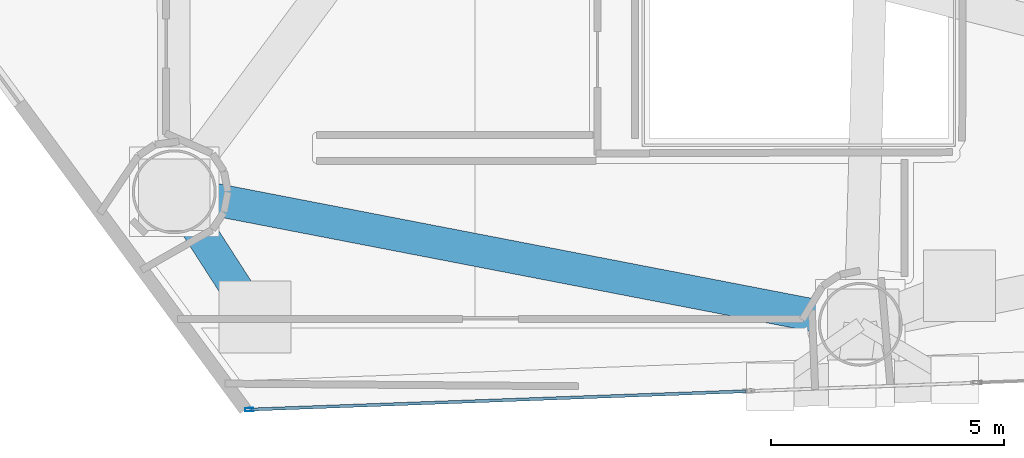
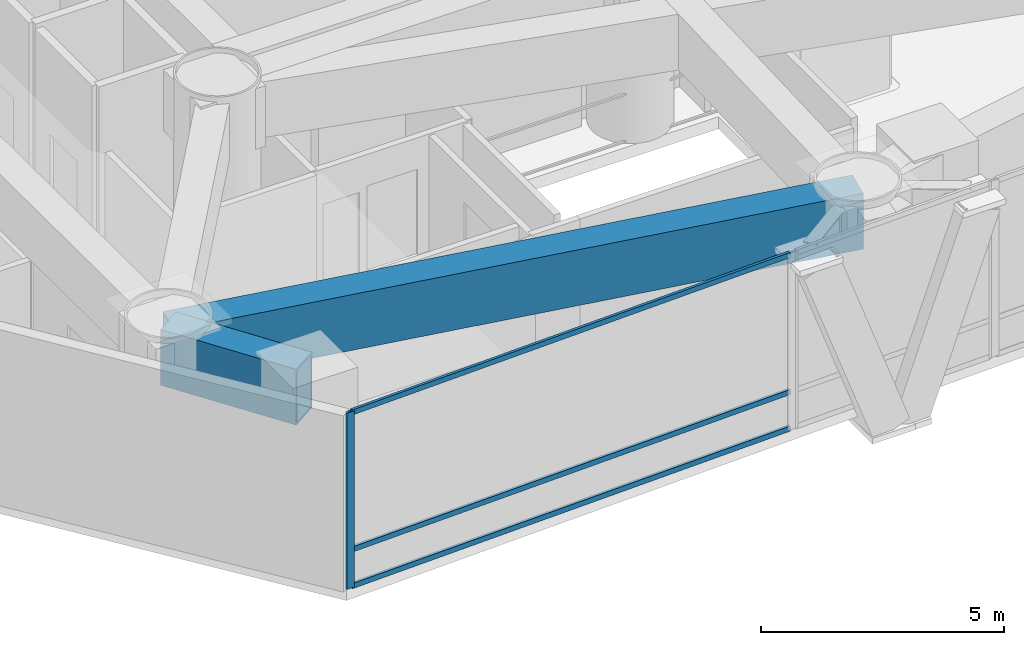
# One storey, part 2 of 22: 4 members, 2 beams, 1 element without a shape of its own.
"""IFC4 building model written with IfcOpenShell, lengths in metres."""

from ifc_helpers import new_model, si_unit, direction, frame, origin, origin_2d, place, context, subcontext, project, spatial, hollow_rectangle, extrude, material, layer, layer_set, material_profile, profile_set, type_object, element, aggregate, save


model = new_model("IFC4")

# Units and contexts
model_context = context("Model", 3, precision=1e-05, world=origin(), true_north=direction((0.0, 1.0)))
body_context = subcontext(model_context, "Body", "Model", "MODEL_VIEW")
ifc_project = project(units=[si_unit("LENGTHUNIT", "METRE"), si_unit("AREAUNIT", "SQUARE_METRE"), si_unit("VOLUMEUNIT", "CUBIC_METRE"), si_unit("PLANEANGLEUNIT", "RADIAN"), si_unit("MASSUNIT", "GRAM", prefix="KILO")], contexts=[model_context])

# Site, building, storey
site_placement = place(None, origin())
site = spatial("IfcSite", under=ifc_project, at=site_placement, CompositionType="ELEMENT")
building_placement = place(site_placement, origin())
building = spatial("IfcBuilding", under=site, at=building_placement, Name="Qianvela Tower", CompositionType="ELEMENT")
storey_placement = place(building_placement, frame((0.0, 0.0, 47.89990234375)))
storey = spatial("IfcBuildingStorey", under=building, at=storey_placement, Name="L11", CompositionType="ELEMENT", Elevation=47.89990234375)

# Beams
ifc_material_1 = material(Name="Steel Q420GJC", Category="steel")
ifc_material_profile_1 = material_profile(ifc_material_1, hollow_rectangle(XDim=0.699951171875, YDim=1.39990234375, WallThickness=0.0400390625, at=origin_2d()), Name="TG-BOX-1400x700x40")
ifc_profile_set_1 = profile_set([ifc_material_profile_1], Name="Steel Q420GJC")
beam_type_1 = type_object("IfcBeamType", Name="BM-TG-RAD-1400", PredefinedType="BEAM", material=ifc_profile_set_1)
beam_1_placement = place(storey_placement, frame((23.404052734375, 16.860107421875, 3.718017578125), z_axis=(0.981833040292, -0.189746886646, 0.0), x_axis=(0.189746886646, 0.981833040292, 0.0)))
element("IfcBeam", 1, at=beam_1_placement, inside=storey, type_object=beam_type_1, Name="L11 Perimeter Belt-Truss Top Ring Girder 5", PredefinedType="BEAM", context=body_context, shape_type="SweptSolid", body=[
    extrude(hollow_rectangle(XDim=0.699951171875, YDim=1.39990234375, WallThickness=0.0400390625, at=origin_2d()), origin(), (0.0, 0.0, 1.0), 14.98828125),
])
ifc_material_2 = material(Name="Steel Q420GJC", Category="steel")
ifc_material_profile_2 = material_profile(ifc_material_2, hollow_rectangle(XDim=0.699951171875, YDim=1.39990234375, WallThickness=0.0400390625, at=origin_2d()), Name="TG-BOX-1400x700x40")
ifc_profile_set_2 = profile_set([ifc_material_profile_2], Name="Steel Q420GJC")
beam_type_2 = type_object("IfcBeamType", Name="BM-TG-STEP-1400", PredefinedType="BEAM", material=ifc_profile_set_2)
beam_2_placement = place(storey_placement, frame((23.404052734375, 16.860107421875, 3.718017578125), z_axis=(0.541233959007, -0.840872048303, 0.0), x_axis=(0.840872048303, 0.541233959007, 0.0)))
element("IfcBeam", 2, at=beam_2_placement, inside=storey, type_object=beam_type_2, Name="L11 Zone-Step Transfer Girder 5", PredefinedType="BEAM", context=body_context, shape_type="SweptSolid", body=[
    extrude(hollow_rectangle(XDim=0.699951171875, YDim=1.39990234375, WallThickness=0.0400390625, at=origin_2d()), origin(), (0.0, 0.0, 1.0), 3.133544921875),
])

# Curtain wall, members
ifc_material_3 = material(Name="Anodised Architectural Aluminium and Low-E Glass", Category="aluminium")
ifc_layer = layer(ifc_material_3, 0.179931640625)
ifc_layer_set = layer_set([ifc_layer], Name="Anodised Architectural Aluminium and Low-E Glass")
curtain_wall_type = type_object("IfcCurtainWallType", Name="CW-COLIV-Z12", PredefinedType="USERDEFINED", material=ifc_layer_set)
curtain_wall_placement = place(storey_placement, origin())
curtain_wall = element("IfcCurtainWall", 3, at=curtain_wall_placement, inside=storey, type_object=curtain_wall_type, Name="L11 CW-COLIV-Z12 Curtain Wall 06A", ObjectType="CURTAIN_WALL_SYSTEM", PredefinedType="USERDEFINED")
ifc_material_4 = material(Name="Anodised Architectural Aluminium 6063-T6", Category="aluminium")
ifc_material_profile_3 = material_profile(ifc_material_4, hollow_rectangle(XDim=0.070068359375, YDim=0.179931640625, WallThickness=0.0048828125, at=origin_2d()), Name="ALU-MULL-70x180")
ifc_profile_set_3 = profile_set([ifc_material_profile_3], Name="Anodised Architectural Aluminium 6063-T6")
member_type_1 = type_object("IfcMemberType", Name="CW-COLIV-Z12-MULL", PredefinedType="MULLION", material=ifc_profile_set_3)
member_1_placement = place(storey_placement, frame((25.012451171875, 12.187255859375, 0.0), z_axis=(0.0, 0.0, 1.0), x_axis=(-0.036871200483, 0.999320026105, 0.0)))
member_1 = element("IfcMember", 4, at=member_1_placement, type_object=member_type_1, Name="CW-3 mullion 1", PredefinedType="MULLION", context=body_context, shape_type="SweptSolid", body=[
    extrude(hollow_rectangle(XDim=0.070068359375, YDim=0.179931640625, WallThickness=0.0048828125, at=origin_2d()), origin(), (0.0, 0.0, 1.0), 4.420166015625),
])
ifc_material_5 = material(Name="Anodised Architectural Aluminium 6063-T6", Category="aluminium")
ifc_material_profile_4 = material_profile(ifc_material_5, hollow_rectangle(XDim=0.06494140625, YDim=0.1298828125, WallThickness=0.00439453125, at=origin_2d()), Name="ALU-TRAN-65x130")
ifc_profile_set_4 = profile_set([ifc_material_profile_4], Name="Anodised Architectural Aluminium 6063-T6")
member_type_2 = type_object("IfcMemberType", Name="CW-COLIV-Z12-TRAN", PredefinedType="USERDEFINED", material=ifc_profile_set_4)
member_2_placement = place(storey_placement, frame((25.04736328125, 12.1884765625, 0.03271484375), z_axis=(0.99932035985, 0.036862153882, 0.0), x_axis=(-0.036862153882, 0.99932035985, 0.0)))
member_2 = element("IfcMember", 5, at=member_2_placement, type_object=member_type_2, Name="CW-3 transom 1.1", ObjectType="TRANSOM", PredefinedType="USERDEFINED", context=body_context, shape_type="SweptSolid", body=[
    extrude(hollow_rectangle(XDim=0.06494140625, YDim=0.1298828125, WallThickness=0.00439453125, at=origin_2d()), origin(), (0.0, 0.0, 1.0), 10.630126953125),
])
member_3_placement = place(storey_placement, frame((25.04736328125, 12.1884765625, 0.9501953125), z_axis=(0.99932035985, 0.036862153882, 0.0), x_axis=(-0.036862153882, 0.99932035985, 0.0)))
member_3 = element("IfcMember", 6, at=member_3_placement, type_object=member_type_2, Name="CW-3 transom 1.2", ObjectType="TRANSOM", PredefinedType="USERDEFINED", context=body_context, shape_type="SweptSolid", body=[
    extrude(hollow_rectangle(XDim=0.06494140625, YDim=0.1298828125, WallThickness=0.00439453125, at=origin_2d()), origin(), (0.0, 0.0, 1.0), 10.630126953125),
])
member_4_placement = place(storey_placement, frame((25.04736328125, 12.1884765625, 4.3876953125), z_axis=(0.99932035985, 0.036862153882, 0.0), x_axis=(-0.036862153882, 0.99932035985, 0.0)))
member_4 = element("IfcMember", 7, at=member_4_placement, type_object=member_type_2, Name="CW-3 transom 1.3", ObjectType="TRANSOM", PredefinedType="USERDEFINED", context=body_context, shape_type="SweptSolid", body=[
    extrude(hollow_rectangle(XDim=0.06494140625, YDim=0.1298828125, WallThickness=0.00439453125, at=origin_2d()), origin(), (0.0, 0.0, 1.0), 10.630126953125),
])
aggregate(curtain_wall, [member_1, member_2, member_3, member_4])

save(model, "model.ifc")
